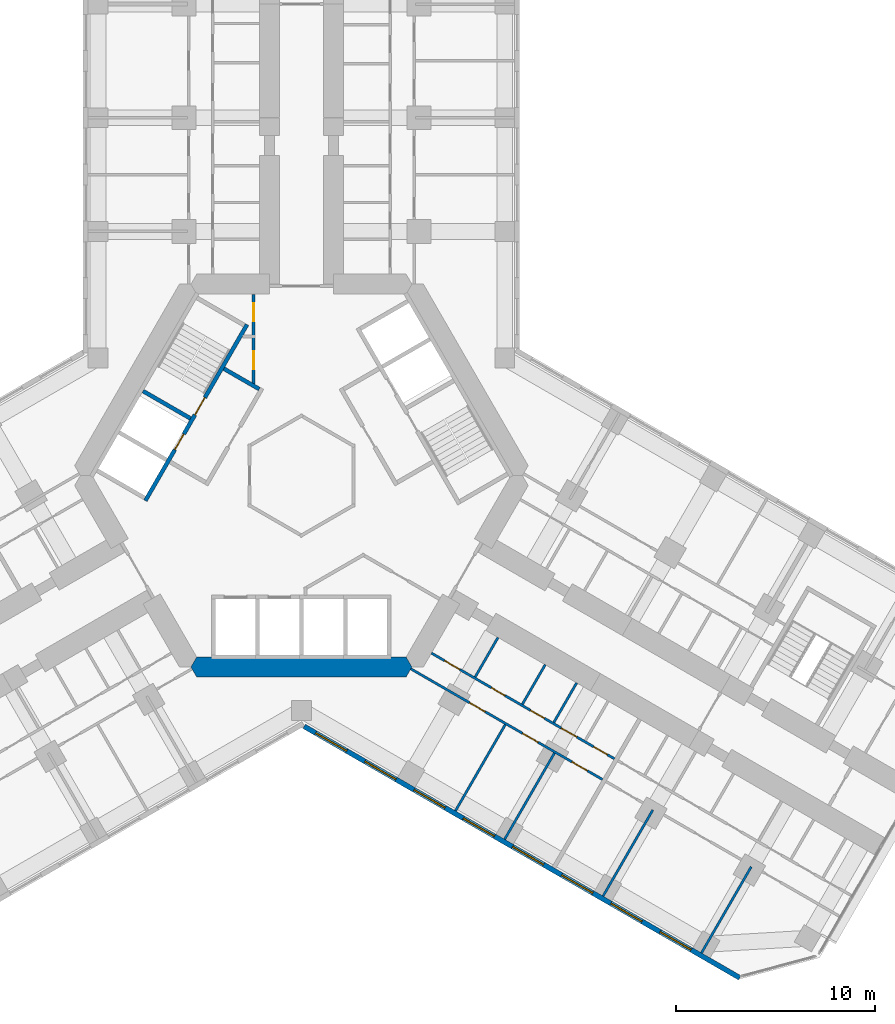
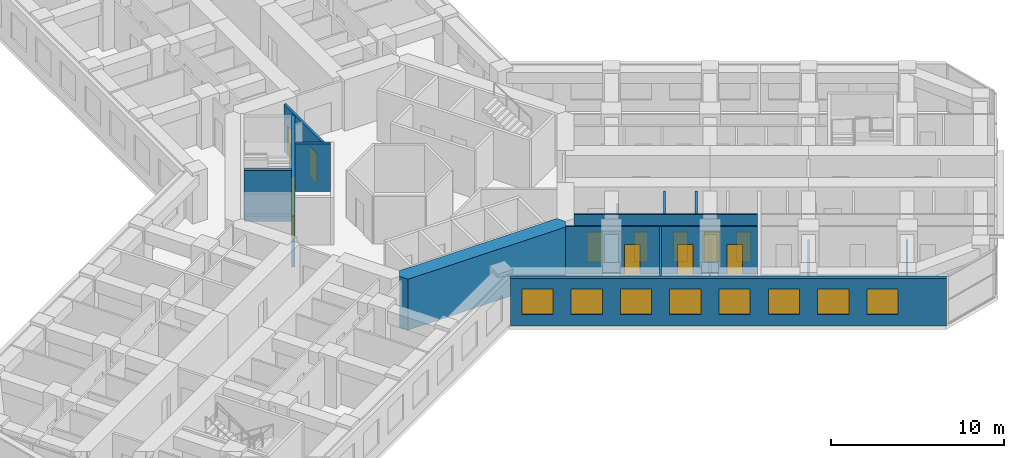
# One storey, part 13 of 21: 15 walls, 12 doors, 8 windows, 20 openings.
"""IFC4 building model written with IfcOpenShell, lengths in metres."""

from ifc_helpers import new_model, si_unit, direction, frame, frame_2d, origin, place, context, subcontext, project, spatial, polyline, rectangle, outline, extrude, material, layer, layer_set, type_object, element, fill, save


model = new_model("IFC4")

# Units and contexts
model_context = context("Model", 3, precision=1e-05, world=origin(), true_north=direction((0.0, 1.0)))
body_context = subcontext(model_context, "Body", "Model", "MODEL_VIEW")
ifc_project = project(units=[si_unit("LENGTHUNIT", "METRE"), si_unit("AREAUNIT", "SQUARE_METRE"), si_unit("VOLUMEUNIT", "CUBIC_METRE"), si_unit("PLANEANGLEUNIT", "RADIAN"), si_unit("MASSUNIT", "GRAM", prefix="KILO")], contexts=[model_context])

# Site, building, storey
site_placement = place(None, origin())
site = spatial("IfcSite", under=ifc_project, at=site_placement, CompositionType="ELEMENT")
building_placement = place(site_placement, origin())
building = spatial("IfcBuilding", under=site, at=building_placement, Name="Kosmar Iwan School Tower", CompositionType="ELEMENT")
storey_placement = place(building_placement, frame((0.0, 0.0, 50.199951171875)))
storey = spatial("IfcBuildingStorey", under=building, at=storey_placement, Name="L11", CompositionType="ELEMENT", Elevation=50.199951171875)

# Wall, openings, doors
ifc_material_1 = material(Name="Gypsum board on steel studs, fire-rated", Category="steel")
ifc_layer_1 = layer(ifc_material_1, 0.14990234375)
ifc_layer_set_1 = layer_set([ifc_layer_1], Name="Core room partition 150")
wall_type_1 = type_object("IfcWallType", Name="Core room partition 150", PredefinedType="PARTITIONING", material=ifc_layer_set_1)
wall_1_placement = place(storey_placement, frame((-2.39990234375, 9.094970703125, 0.0), z_axis=(0.0, 0.0, 1.0), x_axis=(0.0, -1.0, 0.0)))
wall_1 = element("IfcWall", 1, at=wall_1_placement, inside=storey, type_object=wall_type_1, Name="Core room partition L11-CW1", PredefinedType="PARTITIONING", context=body_context, shape_type="SweptSolid", body=[
    extrude(rectangle(XDim=4.564208984375, YDim=0.14990234375, at=frame_2d((2.2822265625, 0.0))), origin(), (0.0, 0.0, 1.0), 3.35009765625),
])
opening_1_placement = place(wall_1_placement, frame((0.455078125, 0.0, 0.0)))
opening_1 = element("IfcOpeningElement", 2, at=opening_1_placement, cuts=wall_1, Name="Opening D14", PredefinedType="OPENING", context=body_context, shape_type="SweptSolid", body=[
    extrude(rectangle(XDim=0.89990234375, YDim=2.10009765625, at=frame_2d((0.449951171875, 1.050048828125))), frame((0.0, 0.0869140625, 0.0), z_axis=(0.0, -1.0, 0.0), x_axis=(1.0, 0.0, 0.0)), (0.0, 0.0, 1.0), 0.173828125),
])
opening_2_placement = place(wall_1_placement, frame((2.85498046875, 0.0, 0.0)))
opening_2 = element("IfcOpeningElement", 3, at=opening_2_placement, cuts=wall_1, Name="Opening D14", PredefinedType="OPENING", context=body_context, shape_type="SweptSolid", body=[
    extrude(rectangle(XDim=0.89990234375, YDim=2.10009765625, at=frame_2d((0.449951171875, 1.050048828125))), frame((0.0, 0.0869140625, 0.0), z_axis=(0.0, -1.0, 0.0), x_axis=(1.0, 0.0, 0.0)), (0.0, 0.0, 1.0), 0.173828125),
])
ifc_material_2 = material(Name="Timber fire door in steel frame", Category="steel")
door_type_1 = type_object("IfcDoorType", Name="Core room door 900x2100", OperationType="SINGLE_SWING_LEFT", PredefinedType="DOOR", material=ifc_material_2)
door_1_placement = place(opening_1_placement, origin())
door_1 = element("IfcDoor", 4, at=door_1_placement, inside=storey, type_object=door_type_1, Name="Electrical riser and switch room door L11 1", OperationType="SINGLE_SWING_LEFT", OverallHeight=2.10009765625, OverallWidth=0.89990234375, PredefinedType="DOOR", context=body_context, shape_type="SweptSolid", body=[
    extrude(rectangle(XDim=0.89990234375, YDim=2.10009765625, at=frame_2d((0.449951171875, 1.050048828125))), frame((0.0, 0.02490234375, 0.0), z_axis=(0.0, -1.0, 0.0), x_axis=(1.0, 0.0, 0.0)), (0.0, 0.0, 1.0), 0.050048828125),
])
fill(opening_1, door_1)
door_2_placement = place(opening_2_placement, origin())
door_2 = element("IfcDoor", 5, at=door_2_placement, inside=storey, type_object=door_type_1, Name="Plumbing and wet riser door L11 2", OperationType="SINGLE_SWING_RIGHT", OverallHeight=2.10009765625, OverallWidth=0.89990234375, PredefinedType="DOOR", context=body_context, shape_type="SweptSolid", body=[
    extrude(rectangle(XDim=0.89990234375, YDim=2.10009765625, at=frame_2d((0.449951171875, 1.050048828125))), frame((0.0, 0.02490234375, 0.0), z_axis=(0.0, -1.0, 0.0), x_axis=(1.0, 0.0, 0.0)), (0.0, 0.0, 1.0), 0.050048828125),
])
fill(opening_2, door_2)

# Wall
ifc_material_3 = material(Name="Concrete C50/60", Category="concrete")
ifc_layer_2 = layer(ifc_material_3, 1.0)
ifc_layer_set_2 = layer_set([ifc_layer_2], Name="Core wall 1000")
wall_type_2 = type_object("IfcWallType", Name="Core wall 1000", PredefinedType="SHEAR", material=ifc_layer_set_2)
wall_2_placement = place(storey_placement, origin())
element("IfcWall", 6, at=wall_2_placement, inside=storey, type_object=wall_type_2, Name="Core wall F270", PredefinedType="SHEAR", context=body_context, shape_type="SweptSolid", body=[
    extrude(outline(polyline([(-5.25390625, -10.10009765625), (5.25390625, -10.10009765625), (5.54248046875, -9.60009765625), (5.25390625, -9.10009765625), (-5.25390625, -9.10009765625), (-5.54248046875, -9.60009765625), (-5.25390625, -10.10009765625)])), origin(), (0.0, 0.0, 1.0), 3.60009765625),
])

# Wall, openings, doors
ifc_material_4 = material(Name="Gypsum board on steel studs", Category="steel")
ifc_layer_3 = layer(ifc_material_4, 0.1201171875)
ifc_layer_set_3 = layer_set([ifc_layer_3], Name="Dwelling partition 120")
wall_type_3 = type_object("IfcWallType", Name="Dwelling partition 120", PredefinedType="PARTITIONING", material=ifc_layer_set_3)
wall_3_placement = place(storey_placement, frame((6.521728515625, -8.90380859375, 0.0), z_axis=(0.0, 0.0, 1.0), x_axis=(0.866024879913, -0.50000090737, 0.0)))
wall_3 = element("IfcWall", 7, at=wall_3_placement, inside=storey, type_object=wall_type_3, Name="Partition L11-CR1-W1", PredefinedType="PARTITIONING", context=body_context, shape_type="SweptSolid", body=[
    extrude(rectangle(XDim=10.60009765625, YDim=0.1201171875, at=frame_2d((5.300048828125, 0.0))), origin(), (0.0, 0.0, 1.0), 3.35009765625),
])
opening_3_placement = place(wall_3_placement, frame((0.75, 0.0, 0.0)))
opening_3 = element("IfcOpeningElement", 8, at=opening_3_placement, cuts=wall_3, Name="Opening D2", PredefinedType="OPENING", context=body_context, shape_type="SweptSolid", body=[
    extrude(rectangle(XDim=0.89990234375, YDim=2.10009765625, at=frame_2d((0.449951171875, 1.050048828125))), frame((0.0, 0.072021484375, 0.0), z_axis=(0.0, -1.0, 0.0), x_axis=(1.0, 0.0, 0.0)), (0.0, 0.0, 1.0), 0.14404296875),
])
opening_4_placement = place(wall_3_placement, frame((3.466796875, 0.0, 0.0)))
opening_4 = element("IfcOpeningElement", 9, at=opening_4_placement, cuts=wall_3, Name="Opening D3", PredefinedType="OPENING", context=body_context, shape_type="SweptSolid", body=[
    extrude(rectangle(XDim=0.800048828125, YDim=2.10009765625, at=frame_2d((0.39990234375, 1.050048828125))), frame((0.0, 0.072021484375, 0.0), z_axis=(0.0, -1.0, 0.0), x_axis=(1.0, 0.0, 0.0)), (0.0, 0.0, 1.0), 0.14404296875),
])
opening_5_placement = place(wall_3_placement, frame((5.744384765625, 0.0, 0.0)))
opening_5 = element("IfcOpeningElement", 10, at=opening_5_placement, cuts=wall_3, Name="Opening D3", PredefinedType="OPENING", context=body_context, shape_type="SweptSolid", body=[
    extrude(rectangle(XDim=0.800048828125, YDim=2.10009765625, at=frame_2d((0.39990234375, 1.050048828125))), frame((0.0, 0.072021484375, 0.0), z_axis=(0.0, -1.0, 0.0), x_axis=(1.0, 0.0, 0.0)), (0.0, 0.0, 1.0), 0.14404296875),
])
opening_6_placement = place(wall_3_placement, frame((7.5166015625, 0.0, 0.0)))
opening_6 = element("IfcOpeningElement", 11, at=opening_6_placement, cuts=wall_3, Name="Opening D2", PredefinedType="OPENING", context=body_context, shape_type="SweptSolid", body=[
    extrude(rectangle(XDim=0.89990234375, YDim=2.10009765625, at=frame_2d((0.449951171875, 1.050048828125))), frame((0.0, 0.072021484375, 0.0), z_axis=(0.0, -1.0, 0.0), x_axis=(1.0, 0.0, 0.0)), (0.0, 0.0, 1.0), 0.14404296875),
])
opening_7_placement = place(wall_3_placement, frame((9.388916015625, 0.0, 0.0)))
opening_7 = element("IfcOpeningElement", 12, at=opening_7_placement, cuts=wall_3, Name="Opening D3", PredefinedType="OPENING", context=body_context, shape_type="SweptSolid", body=[
    extrude(rectangle(XDim=0.800048828125, YDim=2.10009765625, at=frame_2d((0.39990234375, 1.050048828125))), frame((0.0, 0.072021484375, 0.0), z_axis=(0.0, -1.0, 0.0), x_axis=(1.0, 0.0, 0.0)), (0.0, 0.0, 1.0), 0.14404296875),
])
ifc_material_5 = material(Name="Timber door in timber frame", Category="wood")
door_type_2 = type_object("IfcDoorType", Name="Internal door 900x2100", OperationType="SINGLE_SWING_LEFT", PredefinedType="DOOR", material=ifc_material_5)
door_3_placement = place(opening_3_placement, origin())
door_3 = element("IfcDoor", 13, at=door_3_placement, inside=storey, type_object=door_type_2, Name="Entrance hall door L11-CR1-S1", OperationType="SINGLE_SWING_RIGHT", OverallHeight=2.10009765625, OverallWidth=0.89990234375, PredefinedType="DOOR", context=body_context, shape_type="SweptSolid", body=[
    extrude(rectangle(XDim=0.89990234375, YDim=2.10009765625, at=frame_2d((0.449951171875, 1.050048828125))), frame((0.0, 0.02490234375, 0.0), z_axis=(0.0, -1.0, 0.0), x_axis=(1.0, 0.0, 0.0)), (0.0, 0.0, 1.0), 0.050048828125),
])
fill(opening_3, door_3)
door_4_placement = place(opening_6_placement, origin())
door_4 = element("IfcDoor", 14, at=door_4_placement, inside=storey, type_object=door_type_2, Name="Pantry door L11-CR1-S4", OperationType="SINGLE_SWING_LEFT", OverallHeight=2.10009765625, OverallWidth=0.89990234375, PredefinedType="DOOR", context=body_context, shape_type="SweptSolid", body=[
    extrude(rectangle(XDim=0.89990234375, YDim=2.10009765625, at=frame_2d((0.449951171875, 1.050048828125))), frame((0.0, 0.02490234375, 0.0), z_axis=(0.0, -1.0, 0.0), x_axis=(1.0, 0.0, 0.0)), (0.0, 0.0, 1.0), 0.050048828125),
])
fill(opening_6, door_4)
ifc_material_6 = material(Name="Timber door in timber frame", Category="wood")
door_type_3 = type_object("IfcDoorType", Name="Sanitary room door 800x2100", OperationType="SINGLE_SWING_LEFT", PredefinedType="DOOR", material=ifc_material_6)
door_5_placement = place(opening_4_placement, origin())
door_5 = element("IfcDoor", 15, at=door_5_placement, inside=storey, type_object=door_type_3, Name="Bathroom door L11-CR1-S2", OperationType="SINGLE_SWING_LEFT", OverallHeight=2.10009765625, OverallWidth=0.800048828125, PredefinedType="DOOR", context=body_context, shape_type="SweptSolid", body=[
    extrude(rectangle(XDim=0.800048828125, YDim=2.10009765625, at=frame_2d((0.39990234375, 1.050048828125))), frame((0.0, 0.02490234375, 0.0), z_axis=(0.0, -1.0, 0.0), x_axis=(1.0, 0.0, 0.0)), (0.0, 0.0, 1.0), 0.050048828125),
])
fill(opening_4, door_5)
door_6_placement = place(opening_5_placement, origin())
door_6 = element("IfcDoor", 16, at=door_6_placement, inside=storey, type_object=door_type_3, Name="Shower room door L11-CR1-S3", OperationType="SINGLE_SWING_RIGHT", OverallHeight=2.10009765625, OverallWidth=0.800048828125, PredefinedType="DOOR", context=body_context, shape_type="SweptSolid", body=[
    extrude(rectangle(XDim=0.800048828125, YDim=2.10009765625, at=frame_2d((0.39990234375, 1.050048828125))), frame((0.0, 0.02490234375, 0.0), z_axis=(0.0, -1.0, 0.0), x_axis=(1.0, 0.0, 0.0)), (0.0, 0.0, 1.0), 0.050048828125),
])
fill(opening_5, door_6)
door_7_placement = place(opening_7_placement, origin())
door_7 = element("IfcDoor", 17, at=door_7_placement, inside=storey, type_object=door_type_3, Name="WC door L11-CR1-S5", OperationType="SINGLE_SWING_RIGHT", OverallHeight=2.10009765625, OverallWidth=0.800048828125, PredefinedType="DOOR", context=body_context, shape_type="SweptSolid", body=[
    extrude(rectangle(XDim=0.800048828125, YDim=2.10009765625, at=frame_2d((0.39990234375, 1.050048828125))), frame((0.0, 0.02490234375, 0.0), z_axis=(0.0, -1.0, 0.0), x_axis=(1.0, 0.0, 0.0)), (0.0, 0.0, 1.0), 0.050048828125),
])
fill(opening_7, door_7)

wall_4_placement = place(storey_placement, frame((5.48876953125, -9.693115234375, 0.0), z_axis=(0.0, 0.0, 1.0), x_axis=(0.866026992824, -0.499997247692, 0.0)))
wall_4 = element("IfcWall", 18, at=wall_4_placement, inside=storey, type_object=wall_type_3, Name="Partition L11-CR1-W2", PredefinedType="PARTITIONING", context=body_context, shape_type="SweptSolid", body=[
    extrude(rectangle(XDim=11.10009765625, YDim=0.1201171875, at=frame_2d((5.550048828125, 0.0))), origin(), (0.0, 0.0, 1.0), 3.35009765625),
])
opening_8_placement = place(wall_4_placement, frame((3.39990234375, 0.0, 0.0)))
opening_8 = element("IfcOpeningElement", 19, at=opening_8_placement, cuts=wall_4, Name="Opening D2", PredefinedType="OPENING", context=body_context, shape_type="SweptSolid", body=[
    extrude(rectangle(XDim=0.89990234375, YDim=2.10009765625, at=frame_2d((0.449951171875, 1.050048828125))), frame((0.0, 0.072021484375, 0.0), z_axis=(0.0, -1.0, 0.0), x_axis=(1.0, 0.0, 0.0)), (0.0, 0.0, 1.0), 0.14404296875),
])
opening_9_placement = place(wall_4_placement, frame((6.47509765625, 0.0, 0.0)))
opening_9 = element("IfcOpeningElement", 20, at=opening_9_placement, cuts=wall_4, Name="Opening D2", PredefinedType="OPENING", context=body_context, shape_type="SweptSolid", body=[
    extrude(rectangle(XDim=0.89990234375, YDim=2.10009765625, at=frame_2d((0.449951171875, 1.050048828125))), frame((0.0, 0.072021484375, 0.0), z_axis=(0.0, -1.0, 0.0), x_axis=(1.0, 0.0, 0.0)), (0.0, 0.0, 1.0), 0.14404296875),
])
opening_10_placement = place(wall_4_placement, frame((9.324951171875, 0.0, 0.0)))
opening_10 = element("IfcOpeningElement", 21, at=opening_10_placement, cuts=wall_4, Name="Opening D2", PredefinedType="OPENING", context=body_context, shape_type="SweptSolid", body=[
    extrude(rectangle(XDim=0.89990234375, YDim=2.10009765625, at=frame_2d((0.449951171875, 1.050048828125))), frame((0.0, 0.072021484375, 0.0), z_axis=(0.0, -1.0, 0.0), x_axis=(1.0, 0.0, 0.0)), (0.0, 0.0, 1.0), 0.14404296875),
])
door_8_placement = place(opening_8_placement, origin())
door_8 = element("IfcDoor", 22, at=door_8_placement, inside=storey, type_object=door_type_2, Name="Living room and kitchen door L11-CR1-F1", OperationType="SINGLE_SWING_LEFT", OverallHeight=2.10009765625, OverallWidth=0.89990234375, PredefinedType="DOOR", context=body_context, shape_type="SweptSolid", body=[
    extrude(rectangle(XDim=0.89990234375, YDim=2.10009765625, at=frame_2d((0.449951171875, 1.050048828125))), frame((0.0, 0.02490234375, 0.0), z_axis=(0.0, -1.0, 0.0), x_axis=(1.0, 0.0, 0.0)), (0.0, 0.0, 1.0), 0.050048828125),
])
fill(opening_8, door_8)
door_9_placement = place(opening_9_placement, origin())
door_9 = element("IfcDoor", 23, at=door_9_placement, inside=storey, type_object=door_type_2, Name="Bedroom 1 door L11-CR1-F2", OperationType="SINGLE_SWING_RIGHT", OverallHeight=2.10009765625, OverallWidth=0.89990234375, PredefinedType="DOOR", context=body_context, shape_type="SweptSolid", body=[
    extrude(rectangle(XDim=0.89990234375, YDim=2.10009765625, at=frame_2d((0.449951171875, 1.050048828125))), frame((0.0, 0.02490234375, 0.0), z_axis=(0.0, -1.0, 0.0), x_axis=(1.0, 0.0, 0.0)), (0.0, 0.0, 1.0), 0.050048828125),
])
fill(opening_9, door_9)
door_10_placement = place(opening_10_placement, origin())
door_10 = element("IfcDoor", 24, at=door_10_placement, inside=storey, type_object=door_type_2, Name="Bedroom 2 door L11-CR1-F3", OperationType="SINGLE_SWING_RIGHT", OverallHeight=2.10009765625, OverallWidth=0.89990234375, PredefinedType="DOOR", context=body_context, shape_type="SweptSolid", body=[
    extrude(rectangle(XDim=0.89990234375, YDim=2.10009765625, at=frame_2d((0.449951171875, 1.050048828125))), frame((0.0, 0.02490234375, 0.0), z_axis=(0.0, -1.0, 0.0), x_axis=(1.0, 0.0, 0.0)), (0.0, 0.0, 1.0), 0.050048828125),
])
fill(opening_10, door_10)

# Walls
wall_5_placement = place(storey_placement, frame((10.221923828125, -12.4951171875, 0.0), z_axis=(0.0, 0.0, 1.0), x_axis=(-0.499996339024, -0.86602751744, 0.0)))
element("IfcWall", 25, at=wall_5_placement, inside=storey, type_object=wall_type_3, Name="Partition L11-CR1-X1", PredefinedType="PARTITIONING", context=body_context, shape_type="SweptSolid", body=[
    extrude(rectangle(XDim=4.98974609375, YDim=0.1201171875, at=frame_2d((2.494873046875, 0.0))), origin(), (0.0, 0.0, 1.0), 3.35009765625),
])
wall_6_placement = place(storey_placement, frame((12.690185546875, -13.919921875, 0.0), z_axis=(0.0, 0.0, 1.0), x_axis=(-0.500011847778, -0.866018563358, 0.0)))
element("IfcWall", 26, at=wall_6_placement, inside=storey, type_object=wall_type_3, Name="Partition L11-CR1-X2", PredefinedType="PARTITIONING", context=body_context, shape_type="SweptSolid", body=[
    extrude(rectangle(XDim=4.990234375, YDim=0.1201171875, at=frame_2d((2.4951171875, 0.0))), origin(), (0.0, 0.0, 1.0), 2.449951171875),
])
wall_7_placement = place(storey_placement, frame((9.86181640625, -8.11865234375, 0.0), z_axis=(0.0, 0.0, 1.0), x_axis=(-0.500014693593, -0.866016920268, 0.0)))
element("IfcWall", 27, at=wall_7_placement, inside=storey, type_object=wall_type_3, Name="Partition L11-CR1-Y1", PredefinedType="PARTITIONING", context=body_context, shape_type="SweptSolid", body=[
    extrude(rectangle(XDim=2.2900390625, YDim=0.1201171875, at=frame_2d((1.14501953125, 0.0))), origin(), (0.0, 0.0, 1.0), 2.449951171875),
])
for number, where, z_axis, x_axis, name in (
    (28, (12.22900390625, -9.4853515625, 0.0), (0.0, 0.0, 1.0), (-0.500014693593, -0.866016920268, 0.0), "Partition L11-CR1-Y2"),
    (29, (13.80712890625, -10.396484375, 0.0), (0.0, 0.0, 1.0), (-0.500014693593, -0.866016920268, 0.0), "Partition L11-CR1-Y3"),
):
    element("IfcWall", number, at=place(storey_placement, frame(where, z_axis=z_axis, x_axis=x_axis)), inside=storey, type_object=wall_type_3, Name=name, PredefinedType="PARTITIONING", context=body_context, shape_type="SweptSolid", body=[
        extrude(rectangle(XDim=2.2900390625, YDim=0.1201171875, at=frame_2d((1.14501953125, 0.0))), origin(), (0.0, 0.0, 1.0), 3.35009765625),
    ])
wall_8_placement = place(storey_placement, frame((17.62646484375, -16.77001953125, 0.0), z_axis=(0.0, 0.0, 1.0), x_axis=(-0.499975153383, -0.86603974851, 0.0)))
element("IfcWall", 30, at=wall_8_placement, inside=storey, type_object=wall_type_3, Name="Partition L11-CR2-X1", PredefinedType="PARTITIONING", context=body_context, shape_type="SweptSolid", body=[
    extrude(rectangle(XDim=4.989990234375, YDim=0.1201171875, at=frame_2d((2.4951171875, 0.0))), origin(), (0.0, 0.0, 1.0), 2.449951171875),
])
wall_9_placement = place(storey_placement, frame((22.562744140625, -19.6201171875, 0.0), z_axis=(0.0, 0.0, 1.0), x_axis=(-0.499996339024, -0.86602751744, 0.0)))
element("IfcWall", 31, at=wall_9_placement, inside=storey, type_object=wall_type_3, Name="Partition L11-CR2-X2", PredefinedType="PARTITIONING", context=body_context, shape_type="SweptSolid", body=[
    extrude(rectangle(XDim=4.98974609375, YDim=0.1201171875, at=frame_2d((2.494873046875, 0.0))), origin(), (0.0, 0.0, 1.0), 2.449951171875),
])

# Wall, openings, windows
ifc_material_7 = material(Name="Black aluminium rainscreen on insulated framing", Category="aluminium")
ifc_layer_4 = layer(ifc_material_7, 0.25)
ifc_layer_set_4 = layer_set([ifc_layer_4], Name="External wall rainscreen 250")
wall_type_4 = type_object("IfcWallType", Name="External wall rainscreen 250", PredefinedType="SOLIDWALL", material=ifc_layer_set_4)
wall_10_placement = place(storey_placement, frame((0.137939453125, -12.5791015625, 0.0), z_axis=(0.0, 0.0, 1.0), x_axis=(0.866023775649, -0.500002820003, 0.0)))
wall_10 = element("IfcWall", 32, at=wall_10_placement, inside=storey, type_object=wall_type_4, Name="External wall CR L11", PredefinedType="SOLIDWALL", context=body_context, shape_type="SweptSolid", body=[
    extrude(rectangle(XDim=25.226318359375, YDim=0.25, at=frame_2d((12.61328125, 0.0))), origin(), (0.0, 0.0, 1.0), 3.35009765625),
])
opening_11_placement = place(wall_10_placement, frame((0.666015625, 0.0, 0.800048828125)))
opening_11 = element("IfcOpeningElement", 33, at=opening_11_placement, cuts=wall_10, Name="Opening W1", PredefinedType="OPENING", context=body_context, shape_type="SweptSolid", body=[
    extrude(rectangle(XDim=1.800048828125, YDim=1.800048828125, at=frame_2d((0.89990234375, 0.89990234375))), frame((0.0, 0.136962890625, 0.0), z_axis=(0.0, -1.0, 0.0), x_axis=(1.0, 0.0, 0.0)), (0.0, 0.0, 1.0), 0.27392578125),
])
opening_12_placement = place(wall_10_placement, frame((3.51611328125, 0.0, 0.800048828125)))
opening_12 = element("IfcOpeningElement", 34, at=opening_12_placement, cuts=wall_10, Name="Opening W1", PredefinedType="OPENING", context=body_context, shape_type="SweptSolid", body=[
    extrude(rectangle(XDim=1.800048828125, YDim=1.800048828125, at=frame_2d((0.89990234375, 0.89990234375))), frame((0.0, 0.136962890625, 0.0), z_axis=(0.0, -1.0, 0.0), x_axis=(1.0, 0.0, 0.0)), (0.0, 0.0, 1.0), 0.27392578125),
])
opening_13_placement = place(wall_10_placement, frame((6.365966796875, 0.0, 0.800048828125)))
opening_13 = element("IfcOpeningElement", 35, at=opening_13_placement, cuts=wall_10, Name="Opening W1", PredefinedType="OPENING", context=body_context, shape_type="SweptSolid", body=[
    extrude(rectangle(XDim=1.800048828125, YDim=1.800048828125, at=frame_2d((0.89990234375, 0.89990234375))), frame((0.0, 0.136962890625, 0.0), z_axis=(0.0, -1.0, 0.0), x_axis=(1.0, 0.0, 0.0)), (0.0, 0.0, 1.0), 0.27392578125),
])
opening_14_placement = place(wall_10_placement, frame((9.216064453125, 0.0, 0.800048828125)))
opening_14 = element("IfcOpeningElement", 36, at=opening_14_placement, cuts=wall_10, Name="Opening W1", PredefinedType="OPENING", context=body_context, shape_type="SweptSolid", body=[
    extrude(rectangle(XDim=1.800048828125, YDim=1.800048828125, at=frame_2d((0.89990234375, 0.89990234375))), frame((0.0, 0.136962890625, 0.0), z_axis=(0.0, -1.0, 0.0), x_axis=(1.0, 0.0, 0.0)), (0.0, 0.0, 1.0), 0.27392578125),
])
opening_15_placement = place(wall_10_placement, frame((12.06591796875, 0.0, 0.800048828125)))
opening_15 = element("IfcOpeningElement", 37, at=opening_15_placement, cuts=wall_10, Name="Opening W1", PredefinedType="OPENING", context=body_context, shape_type="SweptSolid", body=[
    extrude(rectangle(XDim=1.800048828125, YDim=1.800048828125, at=frame_2d((0.89990234375, 0.89990234375))), frame((0.0, 0.136962890625, 0.0), z_axis=(0.0, -1.0, 0.0), x_axis=(1.0, 0.0, 0.0)), (0.0, 0.0, 1.0), 0.27392578125),
])
opening_16_placement = place(wall_10_placement, frame((14.916015625, 0.0, 0.800048828125)))
opening_16 = element("IfcOpeningElement", 38, at=opening_16_placement, cuts=wall_10, Name="Opening W1", PredefinedType="OPENING", context=body_context, shape_type="SweptSolid", body=[
    extrude(rectangle(XDim=1.800048828125, YDim=1.800048828125, at=frame_2d((0.89990234375, 0.89990234375))), frame((0.0, 0.136962890625, 0.0), z_axis=(0.0, -1.0, 0.0), x_axis=(1.0, 0.0, 0.0)), (0.0, 0.0, 1.0), 0.27392578125),
])
opening_17_placement = place(wall_10_placement, frame((17.76611328125, 0.0, 0.800048828125)))
opening_17 = element("IfcOpeningElement", 39, at=opening_17_placement, cuts=wall_10, Name="Opening W1", PredefinedType="OPENING", context=body_context, shape_type="SweptSolid", body=[
    extrude(rectangle(XDim=1.800048828125, YDim=1.800048828125, at=frame_2d((0.89990234375, 0.89990234375))), frame((0.0, 0.136962890625, 0.0), z_axis=(0.0, -1.0, 0.0), x_axis=(1.0, 0.0, 0.0)), (0.0, 0.0, 1.0), 0.27392578125),
])
opening_18_placement = place(wall_10_placement, frame((20.615966796875, 0.0, 0.800048828125)))
opening_18 = element("IfcOpeningElement", 40, at=opening_18_placement, cuts=wall_10, Name="Opening W1", PredefinedType="OPENING", context=body_context, shape_type="SweptSolid", body=[
    extrude(rectangle(XDim=1.800048828125, YDim=1.800048828125, at=frame_2d((0.89990234375, 0.89990234375))), frame((0.0, 0.136962890625, 0.0), z_axis=(0.0, -1.0, 0.0), x_axis=(1.0, 0.0, 0.0)), (0.0, 0.0, 1.0), 0.27392578125),
])
ifc_material_8 = material(Name="Black aluminium frame with dark triple glazing", Category="aluminium")
window_type = type_object("IfcWindowType", Name="Window 1800x1800", PartitioningType="SINGLE_PANEL", PredefinedType="WINDOW", material=ifc_material_8)
window_1_placement = place(opening_11_placement, origin())
window_1 = element("IfcWindow", 41, at=window_1_placement, inside=storey, type_object=window_type, Name="Window CR L11 -1", OverallHeight=1.800048828125, OverallWidth=1.800048828125, PartitioningType="SINGLE_PANEL", PredefinedType="WINDOW", context=body_context, shape_type="SweptSolid", body=[
    extrude(rectangle(XDim=1.800048828125, YDim=1.800048828125, at=frame_2d((0.89990234375, 0.89990234375))), frame((0.0, 0.030029296875, 0.0), z_axis=(0.0, -1.0, 0.0), x_axis=(1.0, 0.0, 0.0)), (0.0, 0.0, 1.0), 0.06005859375),
])
fill(opening_11, window_1)
window_2_placement = place(opening_12_placement, origin())
window_2 = element("IfcWindow", 42, at=window_2_placement, inside=storey, type_object=window_type, Name="Window CR L11 0", OverallHeight=1.800048828125, OverallWidth=1.800048828125, PartitioningType="SINGLE_PANEL", PredefinedType="WINDOW", context=body_context, shape_type="SweptSolid", body=[
    extrude(rectangle(XDim=1.800048828125, YDim=1.800048828125, at=frame_2d((0.89990234375, 0.89990234375))), frame((0.0, 0.030029296875, 0.0), z_axis=(0.0, -1.0, 0.0), x_axis=(1.0, 0.0, 0.0)), (0.0, 0.0, 1.0), 0.06005859375),
])
fill(opening_12, window_2)
window_3_placement = place(opening_13_placement, origin())
window_3 = element("IfcWindow", 43, at=window_3_placement, inside=storey, type_object=window_type, Name="Window CR L11 1", OverallHeight=1.800048828125, OverallWidth=1.800048828125, PartitioningType="SINGLE_PANEL", PredefinedType="WINDOW", context=body_context, shape_type="SweptSolid", body=[
    extrude(rectangle(XDim=1.800048828125, YDim=1.800048828125, at=frame_2d((0.89990234375, 0.89990234375))), frame((0.0, 0.030029296875, 0.0), z_axis=(0.0, -1.0, 0.0), x_axis=(1.0, 0.0, 0.0)), (0.0, 0.0, 1.0), 0.06005859375),
])
fill(opening_13, window_3)
window_4_placement = place(opening_14_placement, origin())
window_4 = element("IfcWindow", 44, at=window_4_placement, inside=storey, type_object=window_type, Name="Window CR L11 2", OverallHeight=1.800048828125, OverallWidth=1.800048828125, PartitioningType="SINGLE_PANEL", PredefinedType="WINDOW", context=body_context, shape_type="SweptSolid", body=[
    extrude(rectangle(XDim=1.800048828125, YDim=1.800048828125, at=frame_2d((0.89990234375, 0.89990234375))), frame((0.0, 0.030029296875, 0.0), z_axis=(0.0, -1.0, 0.0), x_axis=(1.0, 0.0, 0.0)), (0.0, 0.0, 1.0), 0.06005859375),
])
fill(opening_14, window_4)
window_5_placement = place(opening_15_placement, origin())
window_5 = element("IfcWindow", 45, at=window_5_placement, inside=storey, type_object=window_type, Name="Window CR L11 3", OverallHeight=1.800048828125, OverallWidth=1.800048828125, PartitioningType="SINGLE_PANEL", PredefinedType="WINDOW", context=body_context, shape_type="SweptSolid", body=[
    extrude(rectangle(XDim=1.800048828125, YDim=1.800048828125, at=frame_2d((0.89990234375, 0.89990234375))), frame((0.0, 0.030029296875, 0.0), z_axis=(0.0, -1.0, 0.0), x_axis=(1.0, 0.0, 0.0)), (0.0, 0.0, 1.0), 0.06005859375),
])
fill(opening_15, window_5)
window_6_placement = place(opening_16_placement, origin())
window_6 = element("IfcWindow", 46, at=window_6_placement, inside=storey, type_object=window_type, Name="Window CR L11 4", OverallHeight=1.800048828125, OverallWidth=1.800048828125, PartitioningType="SINGLE_PANEL", PredefinedType="WINDOW", context=body_context, shape_type="SweptSolid", body=[
    extrude(rectangle(XDim=1.800048828125, YDim=1.800048828125, at=frame_2d((0.89990234375, 0.89990234375))), frame((0.0, 0.030029296875, 0.0), z_axis=(0.0, -1.0, 0.0), x_axis=(1.0, 0.0, 0.0)), (0.0, 0.0, 1.0), 0.06005859375),
])
fill(opening_16, window_6)
window_7_placement = place(opening_17_placement, origin())
window_7 = element("IfcWindow", 47, at=window_7_placement, inside=storey, type_object=window_type, Name="Window CR L11 5", OverallHeight=1.800048828125, OverallWidth=1.800048828125, PartitioningType="SINGLE_PANEL", PredefinedType="WINDOW", context=body_context, shape_type="SweptSolid", body=[
    extrude(rectangle(XDim=1.800048828125, YDim=1.800048828125, at=frame_2d((0.89990234375, 0.89990234375))), frame((0.0, 0.030029296875, 0.0), z_axis=(0.0, -1.0, 0.0), x_axis=(1.0, 0.0, 0.0)), (0.0, 0.0, 1.0), 0.06005859375),
])
fill(opening_17, window_7)
window_8_placement = place(opening_18_placement, origin())
window_8 = element("IfcWindow", 48, at=window_8_placement, inside=storey, type_object=window_type, Name="Window CR L11 6", OverallHeight=1.800048828125, OverallWidth=1.800048828125, PartitioningType="SINGLE_PANEL", PredefinedType="WINDOW", context=body_context, shape_type="SweptSolid", body=[
    extrude(rectangle(XDim=1.800048828125, YDim=1.800048828125, at=frame_2d((0.89990234375, 0.89990234375))), frame((0.0, 0.030029296875, 0.0), z_axis=(0.0, -1.0, 0.0), x_axis=(1.0, 0.0, 0.0)), (0.0, 0.0, 1.0), 0.06005859375),
])
fill(opening_18, window_8)

# Wall
ifc_material_9 = material(Name="Concrete block masonry", Category="masonry")
ifc_layer_5 = layer(ifc_material_9, 0.199951171875)
ifc_layer_set_5 = layer_set([ifc_layer_5], Name="Fire lobby wall 200")
wall_type_5 = type_object("IfcWallType", Name="Fire lobby wall 200", PredefinedType="PARTITIONING", material=ifc_layer_set_5)
wall_11_placement = place(storey_placement, frame((-2.114013671875, 4.33837890625, 0.0), z_axis=(0.0, 0.0, 1.0), x_axis=(-0.866050731258, 0.499956128963, 0.0)))
element("IfcWall", 49, at=wall_11_placement, inside=storey, type_object=wall_type_5, Name="Firefighting lobby wall ST2", PredefinedType="PARTITIONING", context=body_context, shape_type="SweptSolid", body=[
    extrude(rectangle(XDim=2.050048828125, YDim=0.199951171875, at=frame_2d((1.02490234375, 0.0))), origin(), (0.0, 0.0, 1.0), 3.35009765625),
])

# Wall, openings, doors
ifc_material_10 = material(Name="Concrete C50/60", Category="concrete")
ifc_layer_6 = layer(ifc_material_10, 0.199951171875)
ifc_layer_set_6 = layer_set([ifc_layer_6], Name="Lift shaft wall 200")
wall_type_6 = type_object("IfcWallType", Name="Lift shaft wall 200", PredefinedType="SHEAR", material=ifc_layer_set_6)
wall_12_placement = place(storey_placement, frame((-2.72607421875, 7.578369140625, 0.0), z_axis=(0.0, 0.0, 1.0), x_axis=(-0.500005610874, -0.86602216432, 0.0)))
wall_12 = element("IfcWall", 50, at=wall_12_placement, inside=storey, type_object=wall_type_6, Name="Lift and stair front wall AB", PredefinedType="SHEAR", context=body_context, shape_type="SweptSolid", body=[
    extrude(rectangle(XDim=10.2001953125, YDim=0.199951171875, at=frame_2d((5.10009765625, 0.0))), origin(), (0.0, 0.0, 1.0), 3.60009765625),
])
opening_19_placement = place(wall_12_placement, frame((6.35009765625, 0.0, 0.0)))
opening_19 = element("IfcOpeningElement", 51, at=opening_19_placement, cuts=wall_12, Name="Opening LD2", PredefinedType="OPENING", context=body_context, shape_type="SweptSolid", body=[
    extrude(rectangle(XDim=0.89990234375, YDim=2.10009765625, at=frame_2d((0.449951171875, 1.050048828125))), frame((0.0, 0.112060546875, 0.0), z_axis=(0.0, -1.0, 0.0), x_axis=(1.0, 0.0, 0.0)), (0.0, 0.0, 1.0), 0.223876953125),
])
opening_20_placement = place(wall_12_placement, frame((4.22998046875, 0.0, 0.0)))
opening_20 = element("IfcOpeningElement", 52, at=opening_20_placement, cuts=wall_12, Name="Opening D6", PredefinedType="OPENING", context=body_context, shape_type="SweptSolid", body=[
    extrude(rectangle(XDim=1.0, YDim=2.10009765625, at=frame_2d((0.5, 1.050048828125))), frame((0.0, 0.112060546875, 0.0), z_axis=(0.0, -1.0, 0.0), x_axis=(1.0, 0.0, 0.0)), (0.0, 0.0, 1.0), 0.223876953125),
])
ifc_material_11 = material(Name="Stainless steel sliding lift door", Category="steel")
door_type_4 = type_object("IfcDoorType", Name="Firefighting lift landing door 900x2100", OperationType="SLIDING_TO_LEFT", PredefinedType="DOOR", material=ifc_material_11)
door_11_placement = place(opening_19_placement, origin())
door_11 = element("IfcDoor", 53, at=door_11_placement, inside=storey, type_object=door_type_4, Name="Lift FF2 landing door L11", OperationType="SLIDING_TO_LEFT", OverallHeight=2.10009765625, OverallWidth=0.89990234375, PredefinedType="DOOR", context=body_context, shape_type="SweptSolid", body=[
    extrude(rectangle(XDim=0.89990234375, YDim=2.10009765625, at=frame_2d((0.449951171875, 1.050048828125))), frame((0.0, 0.02490234375, 0.0), z_axis=(0.0, -1.0, 0.0), x_axis=(1.0, 0.0, 0.0)), (0.0, 0.0, 1.0), 0.050048828125),
])
fill(opening_19, door_11)
ifc_material_12 = material(Name="Steel fire door", Category="steel")
door_type_5 = type_object("IfcDoorType", Name="Stair door 1000x2100", OperationType="SINGLE_SWING_LEFT", PredefinedType="DOOR", material=ifc_material_12)
door_12_placement = place(opening_20_placement, origin())
door_12 = element("IfcDoor", 54, at=door_12_placement, inside=storey, type_object=door_type_5, Name="Stair ST2 door L11", OperationType="SINGLE_SWING_LEFT", OverallHeight=2.10009765625, OverallWidth=1.0, PredefinedType="DOOR", context=body_context, shape_type="SweptSolid", body=[
    extrude(rectangle(XDim=1.0, YDim=2.10009765625, at=frame_2d((0.5, 1.050048828125))), frame((0.0, 0.02490234375, 0.0), z_axis=(0.0, -1.0, 0.0), x_axis=(1.0, 0.0, 0.0)), (0.0, 0.0, 1.0), 0.050048828125),
])
fill(opening_20, door_12)

# Wall
ifc_material_13 = material(Name="Concrete C50/60", Category="concrete")
ifc_layer_7 = layer(ifc_material_13, 0.199951171875)
ifc_layer_set_7 = layer_set([ifc_layer_7], Name="Stair enclosure wall 200")
wall_type_7 = type_object("IfcWallType", Name="Stair enclosure wall 200", PredefinedType="SHEAR", material=ifc_layer_set_7)
wall_13_placement = place(storey_placement, frame((-5.562744140625, 2.865234375, 0.0), z_axis=(0.0, 0.0, 1.0), x_axis=(-0.866027397988, 0.499996545922, 0.0)))
element("IfcWall", 55, at=wall_13_placement, inside=storey, type_object=wall_type_7, Name="Stair ST2 wall", PredefinedType="SHEAR", context=body_context, shape_type="SweptSolid", body=[
    extrude(rectangle(XDim=2.75, YDim=0.199951171875, at=frame_2d((1.375, 0.0))), origin(), (0.0, 0.0, 1.0), 3.60009765625),
])

save(model, "model.ifc")
